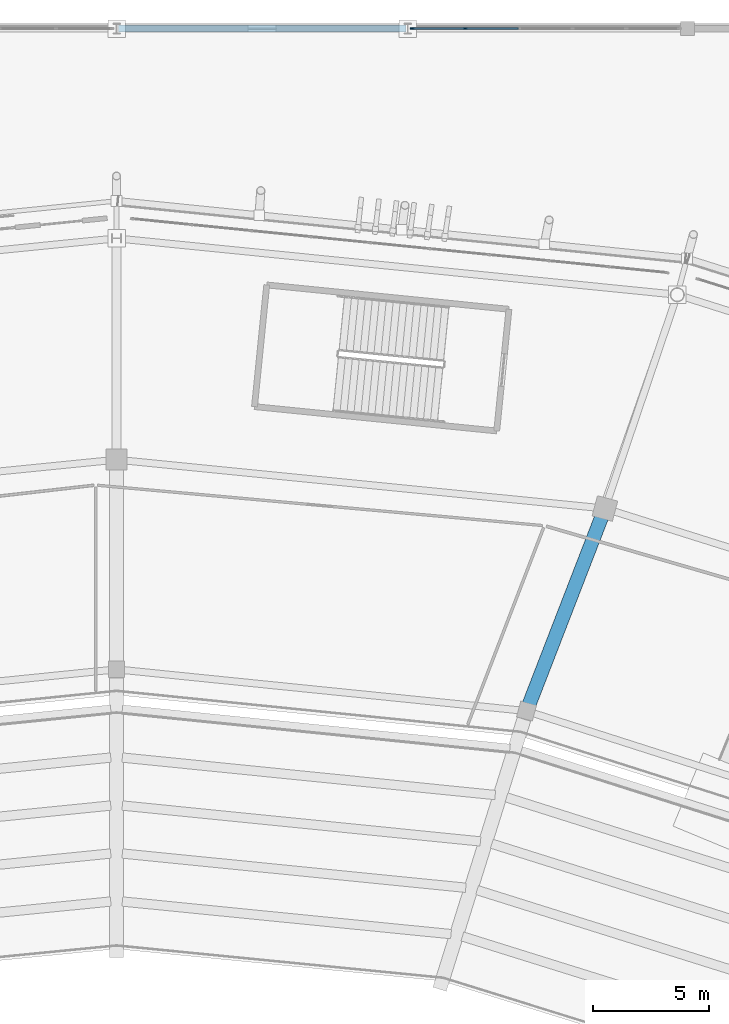
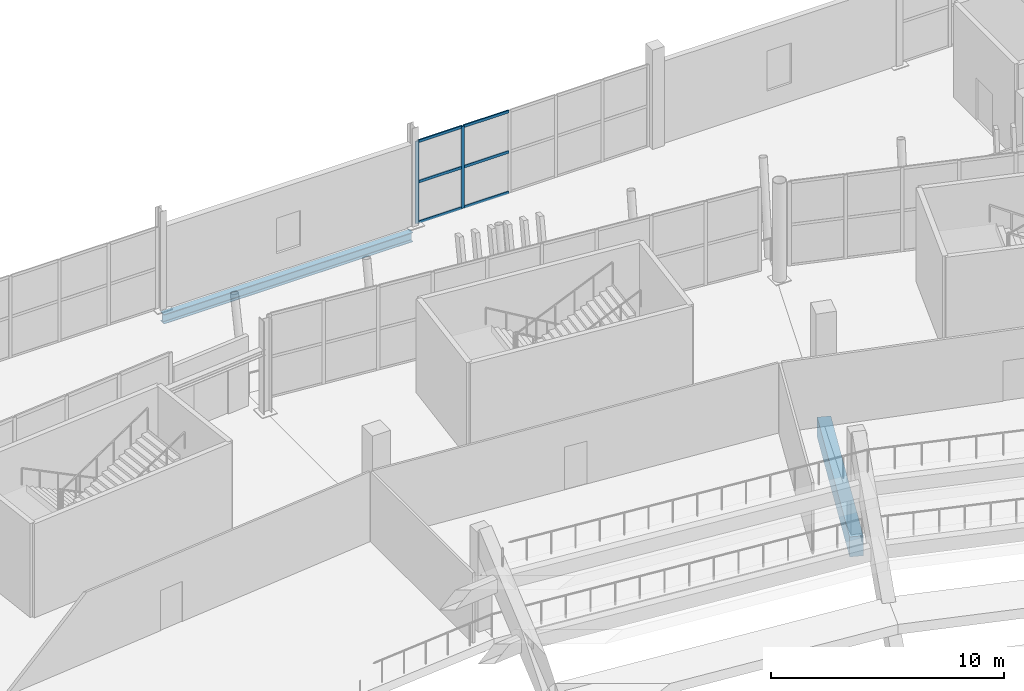
# One storey, part 80 of 178: 8 members, 2 beams, 1 element without a shape of its own.
"""IFC4 building model written with IfcOpenShell, lengths in metres."""

import ifcopenshell
import ifcopenshell.guid

model = None  # the IFC model being written
_history = None  # IfcOwnerHistory: only IFC2X3 demands one
_inside = {}  # id of a spatial element -> (the spatial element, [elements in it])
_under = {}  # id of a project, library or spatial element -> (it, [spatial elements below it])
_declared = {}  # id of a project -> (the project, [libraries it declares])
_typed = {}  # id of a type object -> (the type object, [elements of that type])
_made_of = {}  # id of a material, layer set ... -> (it, [elements and type objects made of it])


def new_model(schema):
    """Start an empty IFC model of exactly this schema.

    Asked for "IFC4X3", IfcOpenShell would pick the latest addendum, in which some entities
    have other attributes; the version numbers below select the first issue.
    IFC2X3 requires an IfcOwnerHistory on every rooted entity: one is made here for all.
    """
    global model, _history
    if schema == "IFC4X3":
        model = ifcopenshell.file(schema_version=(4, 3, 0, 0))
    else:
        model = ifcopenshell.file(schema=schema)
    _inside.clear()
    _under.clear()
    _declared.clear()
    _typed.clear()
    _made_of.clear()
    _history = None
    if model.schema == "IFC2X3":
        org = make("IfcOrganization", Name="unknown")
        user = make(
            "IfcPersonAndOrganization",
            ThePerson=make("IfcPerson", FamilyName="unknown"),
            TheOrganization=org,
        )
        app = make(
            "IfcApplication",
            ApplicationDeveloper=org,
            Version="unknown",
            ApplicationFullName="unknown",
            ApplicationIdentifier="unknown",
        )
        _history = make(
            "IfcOwnerHistory",
            OwningUser=user,
            OwningApplication=app,
            ChangeAction="ADDED",
            CreationDate=0,
        )
    return model


def make(cls, **values):
    """One entity of the class cls with the attributes given. An attribute that is None is left unset."""
    return model.create_entity(
        cls, **{name: value for name, value in values.items() if value is not None}
    )


def rooted(cls, **values):
    """An entity with a GlobalId (a new one), such as an element, a storey or a relation."""
    return make(cls, GlobalId=ifcopenshell.guid.new(), OwnerHistory=_history, **values)


def si_unit(unit_type, name, prefix=None):
    """IfcSIUnit, for example si_unit("LENGTHUNIT", "METRE", prefix="MILLI")."""
    return make("IfcSIUnit", UnitType=unit_type, Prefix=prefix, Name=name)


def assignment(units):
    """IfcUnitAssignment: the units of a project."""
    return None if units is None else make("IfcUnitAssignment", Units=units)


def point(xyz):
    """IfcCartesianPoint."""
    return None if xyz is None else make("IfcCartesianPoint", Coordinates=xyz)


def direction(xyz):
    """IfcDirection."""
    return None if xyz is None else make("IfcDirection", DirectionRatios=xyz)


def frame(location, z_axis=None, x_axis=None):
    """IfcAxis2Placement3D, a coordinate frame: its origin and axes. An axis left out is left unset."""
    return make(
        "IfcAxis2Placement3D",
        Location=point(location),
        Axis=direction(z_axis),
        RefDirection=direction(x_axis),
    )


def frame_2d(location, x_axis=None):
    """IfcAxis2Placement2D, a coordinate frame in the plane: its origin and x axis."""
    return make(
        "IfcAxis2Placement2D", Location=point(location), RefDirection=direction(x_axis)
    )


def origin():
    """The frame at (0, 0, 0) with its axes left unset."""
    return frame((0.0, 0.0, 0.0))


def origin_2d():
    """The frame at (0, 0) in the plane with its x axis left unset."""
    return frame_2d((0.0, 0.0))


def place(relative_to, where):
    """IfcLocalPlacement: puts the frame where relative to a parent placement (None: the world)."""
    return make(
        "IfcLocalPlacement", PlacementRelTo=relative_to, RelativePlacement=where
    )


def context(
    kind, dimensions, precision=None, world=None, true_north=None, identifier=None
):
    """IfcGeometricRepresentationContext, for example the 3D "Model" context."""
    return make(
        "IfcGeometricRepresentationContext",
        ContextIdentifier=identifier,
        ContextType=kind,
        CoordinateSpaceDimension=dimensions,
        Precision=precision,
        WorldCoordinateSystem=world,
        TrueNorth=true_north,
    )


def subcontext(parent, identifier, kind, view, scale=None):
    """IfcGeometricRepresentationSubContext, for example "Body" below "Model"."""
    return make(
        "IfcGeometricRepresentationSubContext",
        ContextIdentifier=identifier,
        ContextType=kind,
        ParentContext=parent,
        TargetScale=scale,
        TargetView=view,
    )


def project(units=None, contexts=None):
    """IfcProject with its units and contexts."""
    return rooted(
        "IfcProject",
        Name="project",
        RepresentationContexts=contexts,
        UnitsInContext=assignment(units),
    )


def spatial(cls, under=None, at=None, **own):
    """A site, building, storey or space (cls), placed at a placement, below another one or the project."""
    s = rooted(cls, ObjectPlacement=at, **own)
    if under is not None:
        _under.setdefault(under.id(), (under, []))[1].append(s)
    return s


def profile(cls, at=None, kind="AREA", **sizes):
    """A parametric profile (cls). Its sizes go by their IFC names, for example OverallWidth=200.0."""
    return make(cls, ProfileType=kind, Position=at, **sizes)


def rectangle(**sizes):
    """IfcRectangleProfileDef."""
    return profile("IfcRectangleProfileDef", **sizes)


def i_section(**sizes):
    """IfcIShapeProfileDef."""
    return profile("IfcIShapeProfileDef", **sizes)


def extrude(swept, where, along, depth):
    """IfcExtrudedAreaSolid: the profile swept, set in the frame where, extruded along a direction by depth."""
    return make(
        "IfcExtrudedAreaSolid",
        SweptArea=swept,
        Position=where,
        ExtrudedDirection=direction(along),
        Depth=depth,
    )


def shape(context_of_items, identifier, shape_type, items):
    """IfcShapeRepresentation: the items that make up one representation, for example the "Body"."""
    return make(
        "IfcShapeRepresentation",
        ContextOfItems=context_of_items,
        RepresentationIdentifier=identifier,
        RepresentationType=shape_type,
        Items=items,
    )


def material(Name=None, Category=None):
    """IfcMaterial."""
    return make("IfcMaterial", Name=Name, Category=Category)


def material_profile(
    of_material, cross_section, Name=None, Category=None, Priority=None
):
    """IfcMaterialProfile: a cross section and its material."""
    return make(
        "IfcMaterialProfile",
        Name=Name,
        Material=of_material,
        Profile=cross_section,
        Priority=Priority,
        Category=Category,
    )


def profile_set(profiles, Name=None, composite=None):
    """IfcMaterialProfileSet."""
    return make(
        "IfcMaterialProfileSet",
        Name=Name,
        MaterialProfiles=profiles,
        CompositeProfile=composite,
    )


def made_of(thing, what):
    """Note that an element or type object is made of a material, layer set ...; save() writes the relation."""
    if what is not None:
        _made_of.setdefault(what.id(), (what, []))[1].append(thing)
    return thing


def type_object(cls, material=None, **own):
    """A type object (cls), such as IfcWallType, which elements share."""
    return made_of(rooted(cls, **own), material)


def element(
    cls,
    number,
    at=None,
    inside=None,
    cuts=None,
    type_object=None,
    material=None,
    context=None,
    identifier="Body",
    shape_type=None,
    held_by="IfcProductDefinitionShape",
    body=None,
    shapes=None,
    **own,
):
    """One element of the class cls, such as IfcWall. Its Tag is "e" and its number.

    at: its placement. inside: the storey or other place that contains it. cuts: it is an
    opening in that element (IfcRelVoidsElement). A single representation is given by context,
    identifier, shape_type and body (its items); several are given by shapes. held_by: the class
    of the entity that holds the representations. save() writes the other relations.
    """
    e = rooted(cls, Tag="e%d" % number, ObjectPlacement=at, **own)
    if body is not None:
        shapes = [shape(context, identifier, shape_type, body)]
    if shapes is not None:
        e.Representation = make(held_by, Representations=shapes)
    if inside is not None:
        _inside.setdefault(inside.id(), (inside, []))[1].append(e)
    if cuts is not None:
        rooted(
            "IfcRelVoidsElement", RelatingBuildingElement=cuts, RelatedOpeningElement=e
        )
    if type_object is not None:
        _typed.setdefault(type_object.id(), (type_object, []))[1].append(e)
    return made_of(e, material)


def aggregate(whole, parts):
    """IfcRelAggregates: a whole, such as a stair, and the parts it consists of."""
    return rooted("IfcRelAggregates", RelatingObject=whole, RelatedObjects=parts)


def save(model, path):
    """Write the relations noted so far, then the file.

    IfcRelAggregates (storeys below a building ...), IfcRelContainedInSpatialStructure (elements
    in a storey), IfcRelDefinesByType, IfcRelAssociatesMaterial and IfcRelDeclares: one each for
    every whole, place, type object, material and project.
    """
    for whole, parts in _under.values():
        aggregate(whole, parts)
    for where, things in _inside.values():
        rooted(
            "IfcRelContainedInSpatialStructure",
            RelatedElements=things,
            RelatingStructure=where,
        )
    for kind, things in _typed.values():
        rooted("IfcRelDefinesByType", RelatedObjects=things, RelatingType=kind)
    for what, things in _made_of.values():
        rooted("IfcRelAssociatesMaterial", RelatedObjects=things, RelatingMaterial=what)
    for by, libraries in _declared.values():
        rooted("IfcRelDeclares", RelatingContext=by, RelatedDefinitions=libraries)
    model.write(path)


model = new_model("IFC4")

# Units and contexts
model_context = context("Model", 3, precision=1e-05, world=origin(), true_north=direction((0.0, 1.0)))
body_context = subcontext(model_context, "Body", "Model", "MODEL_VIEW")
ifc_project = project(units=[si_unit("LENGTHUNIT", "METRE"), si_unit("AREAUNIT", "SQUARE_METRE"), si_unit("VOLUMEUNIT", "CUBIC_METRE"), si_unit("PLANEANGLEUNIT", "RADIAN"), si_unit("MASSUNIT", "GRAM", prefix="KILO")], contexts=[model_context])

# Site, building, storey
site_placement = place(None, origin())
site = spatial("IfcSite", under=ifc_project, at=site_placement, CompositionType="ELEMENT")
building_placement = place(site_placement, origin())
building = spatial("IfcBuilding", under=site, at=building_placement, Name="Zlatoyarsky Gate Stadium", CompositionType="ELEMENT")
storey_placement = place(building_placement, frame((0.0, 0.0, 5.39990234375)))
storey = spatial("IfcBuildingStorey", under=building, at=storey_placement, Name="L01", CompositionType="ELEMENT", Elevation=5.39990234375)

# Curtain wall, members
ifc_material_1 = material(Name="Thermally broken anodised aluminium curtain wall", Category="aluminium")
curtain_wall_type = type_object("IfcCurtainWallType", Name="WINTER GARDEN CONSERVATORY GLAZING", PredefinedType="USERDEFINED", material=ifc_material_1)
curtain_wall_placement = place(storey_placement, origin())
curtain_wall = element("IfcCurtainWall", 1, at=curtain_wall_placement, inside=storey, type_object=curtain_wall_type, Name="Curtain wall CW-V2_NORTH-L01-147", ObjectType="UNITISED GLAZING", PredefinedType="USERDEFINED")
ifc_material_2 = material(Name="Anodised aluminium 6063-T6", Category="aluminium")
ifc_material_profile_1 = material_profile(ifc_material_2, rectangle(XDim=0.06494140625, YDim=0.159912109375, at=origin_2d()), Name="ALU 65X160")
ifc_profile_set_1 = profile_set([ifc_material_profile_1], Name="Anodised aluminium 6063-T6")
member_type_1 = type_object("IfcMemberType", Name="ALUMINIUM MULLION 65X160", PredefinedType="MULLION", material=ifc_profile_set_1)
member_1_placement = place(storey_placement, frame((123.694580078125, 160.0, 0.0), z_axis=(0.0, 0.0, 1.0), x_axis=(0.0, 1.0, 0.0)))
member_1 = element("IfcMember", 2, at=member_1_placement, type_object=member_type_1, Name="CW-WG1 mullion 1", PredefinedType="MULLION", context=body_context, shape_type="SweptSolid", body=[
    extrude(rectangle(XDim=0.06494140625, YDim=0.159912109375, at=origin_2d()), origin(), (0.0, 0.0, 1.0), 4.300048828125),
])
member_2_placement = place(storey_placement, frame((125.96728515625, 160.0, 0.0), z_axis=(0.0, 0.0, 1.0), x_axis=(0.0, 1.0, 0.0)))
member_2 = element("IfcMember", 3, at=member_2_placement, type_object=member_type_1, Name="CW-WG1 mullion 2", PredefinedType="MULLION", context=body_context, shape_type="SweptSolid", body=[
    extrude(rectangle(XDim=0.06494140625, YDim=0.159912109375, at=origin_2d()), origin(), (0.0, 0.0, 1.0), 4.300048828125),
])
ifc_material_profile_2 = material_profile(ifc_material_2, rectangle(XDim=0.06494140625, YDim=0.139892578125, at=origin_2d()), Name="ALU 65X140")
ifc_profile_set_2 = profile_set([ifc_material_profile_2], Name="Anodised aluminium 6063-T6")
member_type_2 = type_object("IfcMemberType", Name="ALUMINIUM TRANSOM 65X140", PredefinedType="USERDEFINED", material=ifc_profile_set_2)
member_3_placement = place(storey_placement, frame((123.72705078125, 160.0, 0.03271484375), z_axis=(1.0, 0.0, 0.0), x_axis=(0.0, 1.0, 0.0)))
member_3 = element("IfcMember", 4, at=member_3_placement, type_object=member_type_2, Name="CW-WG1 transom 1.1", ObjectType="TRANSOM", PredefinedType="USERDEFINED", context=body_context, shape_type="SweptSolid", body=[
    extrude(rectangle(XDim=0.06494140625, YDim=0.139892578125, at=origin_2d()), origin(), (0.0, 0.0, 1.0), 2.207763671875),
])
member_4_placement = place(storey_placement, frame((123.72705078125, 160.0, 2.150146484375), z_axis=(1.0, 0.0, 0.0), x_axis=(0.0, 1.0, 0.0)))
member_4 = element("IfcMember", 5, at=member_4_placement, type_object=member_type_2, Name="CW-WG1 transom 1.2", ObjectType="TRANSOM", PredefinedType="USERDEFINED", context=body_context, shape_type="SweptSolid", body=[
    extrude(rectangle(XDim=0.06494140625, YDim=0.139892578125, at=origin_2d()), origin(), (0.0, 0.0, 1.0), 2.207763671875),
])
member_5_placement = place(storey_placement, frame((123.72705078125, 160.0, 4.267578125), z_axis=(1.0, 0.0, 0.0), x_axis=(0.0, 1.0, 0.0)))
member_5 = element("IfcMember", 6, at=member_5_placement, type_object=member_type_2, Name="CW-WG1 transom 1.3", ObjectType="TRANSOM", PredefinedType="USERDEFINED", context=body_context, shape_type="SweptSolid", body=[
    extrude(rectangle(XDim=0.06494140625, YDim=0.139892578125, at=origin_2d()), origin(), (0.0, 0.0, 1.0), 2.207763671875),
])
member_6_placement = place(storey_placement, frame((125.999755859375, 160.0, 0.03271484375), z_axis=(1.0, 0.0, 0.0), x_axis=(0.0, 1.0, 0.0)))
member_6 = element("IfcMember", 7, at=member_6_placement, type_object=member_type_2, Name="CW-WG1 transom 2.1", ObjectType="TRANSOM", PredefinedType="USERDEFINED", context=body_context, shape_type="SweptSolid", body=[
    extrude(rectangle(XDim=0.06494140625, YDim=0.139892578125, at=origin_2d()), origin(), (0.0, 0.0, 1.0), 2.240234375),
])
member_7_placement = place(storey_placement, frame((125.999755859375, 160.0, 2.150146484375), z_axis=(1.0, 0.0, 0.0), x_axis=(0.0, 1.0, 0.0)))
member_7 = element("IfcMember", 8, at=member_7_placement, type_object=member_type_2, Name="CW-WG1 transom 2.2", ObjectType="TRANSOM", PredefinedType="USERDEFINED", context=body_context, shape_type="SweptSolid", body=[
    extrude(rectangle(XDim=0.06494140625, YDim=0.139892578125, at=origin_2d()), origin(), (0.0, 0.0, 1.0), 2.240234375),
])
member_8_placement = place(storey_placement, frame((125.999755859375, 160.0, 4.267578125), z_axis=(1.0, 0.0, 0.0), x_axis=(0.0, 1.0, 0.0)))
member_8 = element("IfcMember", 9, at=member_8_placement, type_object=member_type_2, Name="CW-WG1 transom 2.3", ObjectType="TRANSOM", PredefinedType="USERDEFINED", context=body_context, shape_type="SweptSolid", body=[
    extrude(rectangle(XDim=0.06494140625, YDim=0.139892578125, at=origin_2d()), origin(), (0.0, 0.0, 1.0), 2.240234375),
])
aggregate(curtain_wall, [member_1, member_2, member_3, member_4, member_5, member_6, member_7, member_8])

# Beams
ifc_material_3 = material(Name="Concrete C40/50", Category="concrete")
ifc_material_profile_3 = material_profile(ifc_material_3, rectangle(XDim=0.60009765625, YDim=1.050048828125, at=origin_2d()), Name="RC GIRDER 600X1050")
ifc_profile_set_3 = profile_set([ifc_material_profile_3], Name="Concrete C40/50")
beam_type_1 = type_object("IfcBeamType", Name="CONCRETE PRIMARY GIRDER 600X1050", PredefinedType="T_BEAM", material=ifc_profile_set_3)
beam_1_placement = place(storey_placement, frame((128.64306640625, 130.822998046875, -0.98486328125), z_axis=(0.36092924223, 0.932593202904, 0.0), x_axis=(-0.932593202904, 0.36092924223, 0.0)))
element("IfcBeam", 10, at=beam_1_placement, inside=storey, type_object=beam_type_1, Name="Beam G-RC105 BM-L01-RAB-05", PredefinedType="T_BEAM", context=body_context, shape_type="SweptSolid", body=[
    extrude(rectangle(XDim=0.60009765625, YDim=1.050048828125, at=origin_2d()), origin(), (0.0, 0.0, 1.0), 9.08154296875),
])
ifc_material_4 = material(Name="Steel S355", Category="steel")
ifc_material_profile_4 = material_profile(ifc_material_4, i_section(OverallWidth=0.300048828125, OverallDepth=0.5, WebThickness=0.014404296875, FlangeThickness=0.028076171875, FilletRadius=0.027099609375, at=origin_2d()), Name="HEB 500")
ifc_profile_set_4 = profile_set([ifc_material_profile_4], Name="Steel S355")
beam_type_2 = type_object("IfcBeamType", Name="STEEL PRIMARY GIRDER HEB 500", PredefinedType="BEAM", material=ifc_profile_set_4)
beam_2_placement = place(storey_placement, frame((111.080078125, 160.0, -0.5498046875), z_axis=(1.0, 0.0, 0.0), x_axis=(0.0, 1.0, 0.0)))
element("IfcBeam", 11, at=beam_2_placement, inside=storey, type_object=beam_type_2, Name="Beam G-HEB500 BM-L01-WGX-10-Q", PredefinedType="BEAM", context=body_context, shape_type="SweptSolid", body=[
    extrude(i_section(OverallWidth=0.300048828125, OverallDepth=0.5, WebThickness=0.014404296875, FlangeThickness=0.028076171875, FilletRadius=0.027099609375, at=origin_2d()), origin(), (0.0, 0.0, 1.0), 12.33984375),
])

save(model, "model.ifc")
